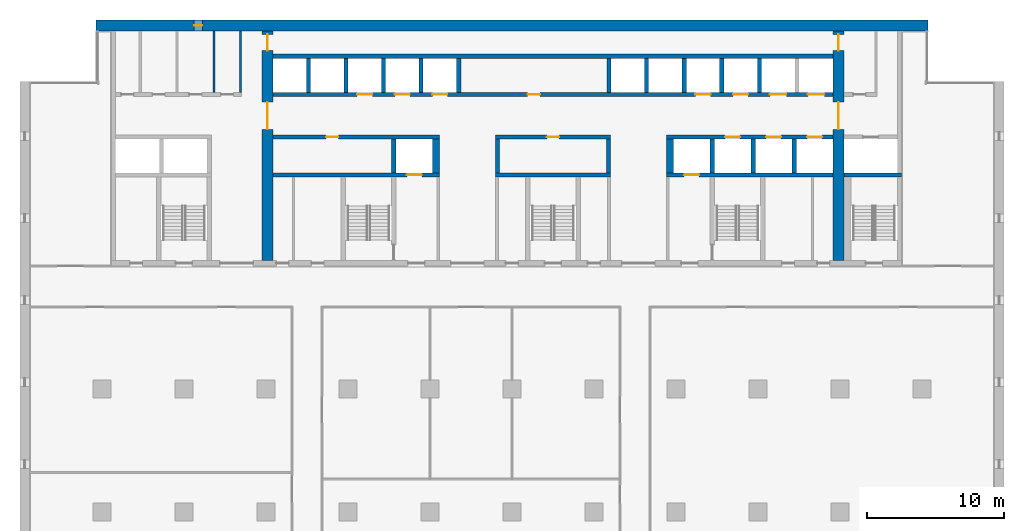
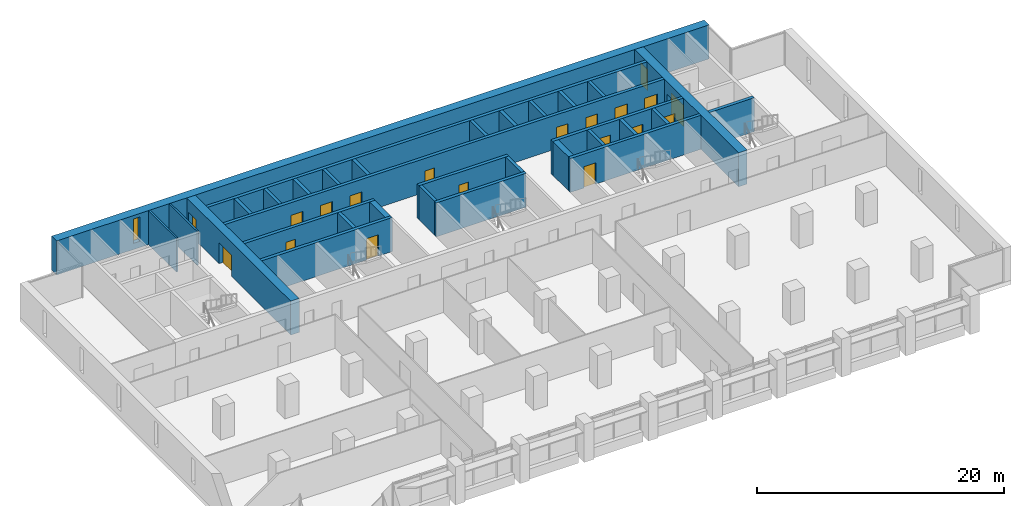
# One storey, part 10 of 15: 32 walls, 19 doors, 1 window, 20 openings.
"""IFC4 building model written with IfcOpenShell, lengths in metres."""

from ifc_helpers import new_model, si_unit, direction, frame, frame_2d, origin, place, context, subcontext, project, spatial, rectangle, extrude, material, layer, layer_set, type_object, element, fill, save


model = new_model("IFC4")

# Units and contexts
model_context = context("Model", 3, precision=1e-05, world=origin(), true_north=direction((0.0, 1.0)))
body_context = subcontext(model_context, "Body", "Model", "MODEL_VIEW")
ifc_project = project(units=[si_unit("LENGTHUNIT", "METRE"), si_unit("AREAUNIT", "SQUARE_METRE"), si_unit("VOLUMEUNIT", "CUBIC_METRE"), si_unit("PLANEANGLEUNIT", "RADIAN"), si_unit("MASSUNIT", "GRAM", prefix="KILO")], contexts=[model_context])

# Site, building, storey
site_placement = place(None, origin())
site = spatial("IfcSite", under=ifc_project, at=site_placement, CompositionType="ELEMENT")
building_placement = place(site_placement, origin())
building = spatial("IfcBuilding", under=site, at=building_placement, Name="Calvaro Tower", CompositionType="ELEMENT")
storey_placement = place(building_placement, frame((0.0, 0.0, 125.0)))
storey = spatial("IfcBuildingStorey", under=building, at=storey_placement, Name="L31", CompositionType="ELEMENT", Elevation=125.0)

# Walls
ifc_material_1 = material(Name="Blockwork partition", Category="masonry")
ifc_layer_1 = layer(ifc_material_1, 0.14990234375)
ifc_layer_set_1 = layer_set([ifc_layer_1], Name="Blockwork partition")
wall_type_1 = type_object("IfcWallType", Name="Core partition 150 EI 60", PredefinedType="PARTITIONING", material=ifc_layer_set_1)
wall_1_placement = place(storey_placement, frame((14.199951171875, 40.699951171875, 0.0), z_axis=(0.0, 0.0, 1.0), x_axis=(0.0, 1.0, 0.0)))
element("IfcWall", 1, at=wall_1_placement, inside=storey, type_object=wall_type_1, Name="Core partition", PredefinedType="PARTITIONING", context=body_context, shape_type="SweptSolid", body=[
    extrude(rectangle(XDim=4.5, YDim=0.14990234375, at=frame_2d((2.25, 0.0))), origin(), (0.0, 0.0, 1.0), 3.35009765625),
])
ifc_material_2 = material(Name="Blockwork partition", Category="masonry")
ifc_layer_2 = layer(ifc_material_2, 0.14990234375)
ifc_layer_set_2 = layer_set([ifc_layer_2], Name="Blockwork partition")
wall_type_2 = type_object("IfcWallType", Name="Core partition 150 REI 120", PredefinedType="PARTITIONING", material=ifc_layer_set_2)
wall_2_placement = place(storey_placement, frame((16.125, 40.699951171875, 0.0), z_axis=(0.0, 0.0, 1.0), x_axis=(0.0, 1.0, 0.0)))
element("IfcWall", 2, at=wall_2_placement, inside=storey, type_object=wall_type_2, Name="Core partition", PredefinedType="PARTITIONING", context=body_context, shape_type="SweptSolid", body=[
    extrude(rectangle(XDim=4.5, YDim=0.14990234375, at=frame_2d((2.25, 0.0))), origin(), (0.0, 0.0, 1.0), 3.35009765625),
])

# Wall, opening, door
ifc_material_3 = material(Name="Concrete C60/75", Category="concrete")
ifc_layer_3 = layer(ifc_material_3, 0.300048828125)
ifc_layer_set_3 = layer_set([ifc_layer_3], Name="Concrete C60/75")
wall_type_3 = type_object("IfcWallType", Name="Core wall C60/75 300", PredefinedType="SHEAR", material=ifc_layer_set_3)
wall_3_placement = place(storey_placement, frame((18.5, 34.64990234375, 0.0), z_axis=(0.0, 0.0, 1.0), x_axis=(1.0, 0.0, 0.0)))
wall_3 = element("IfcWall", 3, at=wall_3_placement, inside=storey, type_object=wall_type_3, Name="Core wall, lift shaft", PredefinedType="SHEAR", context=body_context, shape_type="SweptSolid", body=[
    extrude(rectangle(XDim=12.199951171875, YDim=0.300048828125, at=frame_2d((6.10009765625, 0.0))), origin(), (0.0, 0.0, 1.0), 3.35009765625),
])
opening_1_placement = place(wall_3_placement, frame((9.800048828125, 0.0, 0.0)))
opening_1 = element("IfcOpeningElement", 4, at=opening_1_placement, cuts=wall_3, Name="Opening FF1", PredefinedType="OPENING", context=body_context, shape_type="SweptSolid", body=[
    extrude(rectangle(XDim=1.10009765625, YDim=2.10009765625, at=frame_2d((0.550048828125, 1.050048828125))), frame((0.0, 0.159912109375, 0.0), z_axis=(0.0, -1.0, 0.0), x_axis=(1.0, 0.0, 0.0)), (0.0, 0.0, 1.0), 0.320068359375),
])
ifc_material_4 = material(Name="Stainless steel", Category="steel")
door_type_1 = type_object("IfcDoorType", Name="Landing door 1100 E 60", OperationType="SLIDING_TO_LEFT", PredefinedType="DOOR", material=ifc_material_4)
door_1_placement = place(opening_1_placement, origin())
door_1 = element("IfcDoor", 5, at=door_1_placement, inside=storey, type_object=door_type_1, Name="Landing door FF1", OperationType="SLIDING_TO_LEFT", OverallHeight=2.10009765625, OverallWidth=1.10009765625, PredefinedType="DOOR", context=body_context, shape_type="SweptSolid", body=[
    extrude(rectangle(XDim=1.10009765625, YDim=2.10009765625, at=frame_2d((0.550048828125, 1.050048828125))), frame((0.0, 0.02490234375, 0.0), z_axis=(0.0, -1.0, 0.0), x_axis=(1.0, 0.0, 0.0)), (0.0, 0.0, 1.0), 0.050048828125),
])
fill(opening_1, door_1)

# Wall
wall_4_placement = place(storey_placement, frame((34.800048828125, 34.64990234375, 0.0), z_axis=(0.0, 0.0, 1.0), x_axis=(1.0, 0.0, 0.0)))
element("IfcWall", 6, at=wall_4_placement, inside=storey, type_object=wall_type_3, Name="Core wall, lift shaft", PredefinedType="SHEAR", context=body_context, shape_type="SweptSolid", body=[
    extrude(rectangle(XDim=8.39990234375, YDim=0.300048828125, at=frame_2d((4.199951171875, 0.0))), origin(), (0.0, 0.0, 1.0), 3.35009765625),
])

# Wall, opening, door
wall_5_placement = place(storey_placement, frame((47.300048828125, 34.64990234375, 0.0), z_axis=(0.0, 0.0, 1.0), x_axis=(1.0, 0.0, 0.0)))
wall_5 = element("IfcWall", 7, at=wall_5_placement, inside=storey, type_object=wall_type_3, Name="Core wall, lift shaft", PredefinedType="SHEAR", context=body_context, shape_type="SweptSolid", body=[
    extrude(rectangle(XDim=12.199951171875, YDim=0.300048828125, at=frame_2d((6.10009765625, 0.0))), origin(), (0.0, 0.0, 1.0), 3.35009765625),
])
opening_2_placement = place(wall_5_placement, frame((1.300048828125, 0.0, 0.0)))
opening_2 = element("IfcOpeningElement", 8, at=opening_2_placement, cuts=wall_5, Name="Opening FF2", PredefinedType="OPENING", context=body_context, shape_type="SweptSolid", body=[
    extrude(rectangle(XDim=1.10009765625, YDim=2.10009765625, at=frame_2d((0.550048828125, 1.050048828125))), frame((0.0, 0.159912109375, 0.0), z_axis=(0.0, -1.0, 0.0), x_axis=(1.0, 0.0, 0.0)), (0.0, 0.0, 1.0), 0.320068359375),
])
door_2_placement = place(opening_2_placement, origin())
door_2 = element("IfcDoor", 9, at=door_2_placement, inside=storey, type_object=door_type_1, Name="Landing door FF2", OperationType="SLIDING_TO_LEFT", OverallHeight=2.10009765625, OverallWidth=1.10009765625, PredefinedType="DOOR", context=body_context, shape_type="SweptSolid", body=[
    extrude(rectangle(XDim=1.10009765625, YDim=2.10009765625, at=frame_2d((0.550048828125, 1.050048828125))), frame((0.0, 0.02490234375, 0.0), z_axis=(0.0, -1.0, 0.0), x_axis=(1.0, 0.0, 0.0)), (0.0, 0.0, 1.0), 0.050048828125),
])
fill(opening_2, door_2)

# Wall
wall_6_placement = place(storey_placement, frame((60.300048828125, 34.64990234375, 0.0), z_axis=(0.0, 0.0, 1.0), x_axis=(1.0, 0.0, 0.0)))
element("IfcWall", 10, at=wall_6_placement, inside=storey, type_object=wall_type_3, Name="Core wall, lift shaft", PredefinedType="SHEAR", context=body_context, shape_type="SweptSolid", body=[
    extrude(rectangle(XDim=4.199951171875, YDim=0.300048828125, at=frame_2d((2.10009765625, 0.0))), origin(), (0.0, 0.0, 1.0), 3.35009765625),
])

# Wall, opening, door
wall_7_placement = place(storey_placement, frame((30.699951171875, 37.449951171875, 0.0), z_axis=(0.0, 0.0, 1.0), x_axis=(-1.0, 0.0, 0.0)))
wall_7 = element("IfcWall", 11, at=wall_7_placement, inside=storey, type_object=wall_type_3, Name="Core wall, bay", PredefinedType="SHEAR", context=body_context, shape_type="SweptSolid", body=[
    extrude(rectangle(XDim=12.199951171875, YDim=0.300048828125, at=frame_2d((6.10009765625, 0.0))), origin(), (0.0, 0.0, 1.0), 3.35009765625),
])
opening_3_placement = place(wall_7_placement, frame((7.39990234375, 0.0, 0.0)))
opening_3 = element("IfcOpeningElement", 12, at=opening_3_placement, cuts=wall_7, Name="Opening RD9E", PredefinedType="OPENING", context=body_context, shape_type="SweptSolid", body=[
    extrude(rectangle(XDim=0.89990234375, YDim=2.10009765625, at=frame_2d((0.449951171875, 1.050048828125))), frame((0.0, 0.159912109375, 0.0), z_axis=(0.0, -1.0, 0.0), x_axis=(1.0, 0.0, 0.0)), (0.0, 0.0, 1.0), 0.320068359375),
])
ifc_material_5 = material(Name="Steel door set", Category="steel")
door_type_2 = type_object("IfcDoorType", Name="Room door 900 FD60", OperationType="SINGLE_SWING_LEFT", PredefinedType="DOOR", material=ifc_material_5)
door_3_placement = place(opening_3_placement, origin())
door_3 = element("IfcDoor", 13, at=door_3_placement, inside=storey, type_object=door_type_2, Name="Room door", OperationType="SINGLE_SWING_LEFT", OverallHeight=2.10009765625, OverallWidth=0.89990234375, PredefinedType="DOOR", context=body_context, shape_type="SweptSolid", body=[
    extrude(rectangle(XDim=0.89990234375, YDim=2.10009765625, at=frame_2d((0.449951171875, 1.050048828125))), frame((0.0, 0.02490234375, 0.0), z_axis=(0.0, -1.0, 0.0), x_axis=(1.0, 0.0, 0.0)), (0.0, 0.0, 1.0), 0.050048828125),
])
fill(opening_3, door_3)

wall_8_placement = place(storey_placement, frame((43.199951171875, 37.449951171875, 0.0), z_axis=(0.0, 0.0, 1.0), x_axis=(-1.0, 0.0, 0.0)))
wall_8 = element("IfcWall", 14, at=wall_8_placement, inside=storey, type_object=wall_type_3, Name="Core wall, bay", PredefinedType="SHEAR", context=body_context, shape_type="SweptSolid", body=[
    extrude(rectangle(XDim=8.39990234375, YDim=0.300048828125, at=frame_2d((4.199951171875, 0.0))), origin(), (0.0, 0.0, 1.0), 3.35009765625),
])
opening_4_placement = place(wall_8_placement, frame((3.75, 0.0, 0.0)))
opening_4 = element("IfcOpeningElement", 15, at=opening_4_placement, cuts=wall_8, Name="Opening RD9E", PredefinedType="OPENING", context=body_context, shape_type="SweptSolid", body=[
    extrude(rectangle(XDim=0.89990234375, YDim=2.10009765625, at=frame_2d((0.449951171875, 1.050048828125))), frame((0.0, 0.159912109375, 0.0), z_axis=(0.0, -1.0, 0.0), x_axis=(1.0, 0.0, 0.0)), (0.0, 0.0, 1.0), 0.320068359375),
])
door_4_placement = place(opening_4_placement, origin())
door_4 = element("IfcDoor", 16, at=door_4_placement, inside=storey, type_object=door_type_2, Name="Room door", OperationType="SINGLE_SWING_RIGHT", OverallHeight=2.10009765625, OverallWidth=0.89990234375, PredefinedType="DOOR", context=body_context, shape_type="SweptSolid", body=[
    extrude(rectangle(XDim=0.89990234375, YDim=2.10009765625, at=frame_2d((0.449951171875, 1.050048828125))), frame((0.0, 0.02490234375, 0.0), z_axis=(0.0, -1.0, 0.0), x_axis=(1.0, 0.0, 0.0)), (0.0, 0.0, 1.0), 0.050048828125),
])
fill(opening_4, door_4)

# Wall, openings, doors
wall_9_placement = place(storey_placement, frame((47.300048828125, 37.449951171875, 0.0), z_axis=(0.0, 0.0, 1.0), x_axis=(1.0, 0.0, 0.0)))
wall_9 = element("IfcWall", 17, at=wall_9_placement, inside=storey, type_object=wall_type_3, Name="Core wall, lift shaft", PredefinedType="SHEAR", context=body_context, shape_type="SweptSolid", body=[
    extrude(rectangle(XDim=12.199951171875, YDim=0.300048828125, at=frame_2d((6.10009765625, 0.0))), origin(), (0.0, 0.0, 1.0), 3.35009765625),
])
opening_5_placement = place(wall_9_placement, frame((4.300048828125, 0.0, 0.0)))
opening_5 = element("IfcOpeningElement", 18, at=opening_5_placement, cuts=wall_9, Name="Opening MR1", PredefinedType="OPENING", context=body_context, shape_type="SweptSolid", body=[
    extrude(rectangle(XDim=1.10009765625, YDim=2.10009765625, at=frame_2d((0.550048828125, 1.050048828125))), frame((0.0, 0.159912109375, 0.0), z_axis=(0.0, -1.0, 0.0), x_axis=(1.0, 0.0, 0.0)), (0.0, 0.0, 1.0), 0.320068359375),
])
opening_6_placement = place(wall_9_placement, frame((7.300048828125, 0.0, 0.0)))
opening_6 = element("IfcOpeningElement", 19, at=opening_6_placement, cuts=wall_9, Name="Opening MR2", PredefinedType="OPENING", context=body_context, shape_type="SweptSolid", body=[
    extrude(rectangle(XDim=1.10009765625, YDim=2.10009765625, at=frame_2d((0.550048828125, 1.050048828125))), frame((0.0, 0.159912109375, 0.0), z_axis=(0.0, -1.0, 0.0), x_axis=(1.0, 0.0, 0.0)), (0.0, 0.0, 1.0), 0.320068359375),
])
opening_7_placement = place(wall_9_placement, frame((10.300048828125, 0.0, 0.0)))
opening_7 = element("IfcOpeningElement", 20, at=opening_7_placement, cuts=wall_9, Name="Opening MR3", PredefinedType="OPENING", context=body_context, shape_type="SweptSolid", body=[
    extrude(rectangle(XDim=1.10009765625, YDim=2.10009765625, at=frame_2d((0.550048828125, 1.050048828125))), frame((0.0, 0.159912109375, 0.0), z_axis=(0.0, -1.0, 0.0), x_axis=(1.0, 0.0, 0.0)), (0.0, 0.0, 1.0), 0.320068359375),
])
door_5_placement = place(opening_5_placement, origin())
door_5 = element("IfcDoor", 21, at=door_5_placement, inside=storey, type_object=door_type_1, Name="Landing door MR1", OperationType="SLIDING_TO_LEFT", OverallHeight=2.10009765625, OverallWidth=1.10009765625, PredefinedType="DOOR", context=body_context, shape_type="SweptSolid", body=[
    extrude(rectangle(XDim=1.10009765625, YDim=2.10009765625, at=frame_2d((0.550048828125, 1.050048828125))), frame((0.0, 0.02490234375, 0.0), z_axis=(0.0, -1.0, 0.0), x_axis=(1.0, 0.0, 0.0)), (0.0, 0.0, 1.0), 0.050048828125),
])
fill(opening_5, door_5)
door_6_placement = place(opening_6_placement, origin())
door_6 = element("IfcDoor", 22, at=door_6_placement, inside=storey, type_object=door_type_1, Name="Landing door MR2", OperationType="SLIDING_TO_LEFT", OverallHeight=2.10009765625, OverallWidth=1.10009765625, PredefinedType="DOOR", context=body_context, shape_type="SweptSolid", body=[
    extrude(rectangle(XDim=1.10009765625, YDim=2.10009765625, at=frame_2d((0.550048828125, 1.050048828125))), frame((0.0, 0.02490234375, 0.0), z_axis=(0.0, -1.0, 0.0), x_axis=(1.0, 0.0, 0.0)), (0.0, 0.0, 1.0), 0.050048828125),
])
fill(opening_6, door_6)
door_7_placement = place(opening_7_placement, origin())
door_7 = element("IfcDoor", 23, at=door_7_placement, inside=storey, type_object=door_type_1, Name="Landing door MR3", OperationType="SLIDING_TO_LEFT", OverallHeight=2.10009765625, OverallWidth=1.10009765625, PredefinedType="DOOR", context=body_context, shape_type="SweptSolid", body=[
    extrude(rectangle(XDim=1.10009765625, YDim=2.10009765625, at=frame_2d((0.550048828125, 1.050048828125))), frame((0.0, 0.02490234375, 0.0), z_axis=(0.0, -1.0, 0.0), x_axis=(1.0, 0.0, 0.0)), (0.0, 0.0, 1.0), 0.050048828125),
])
fill(opening_7, door_7)

# Walls
for number, where, z_axis, x_axis, name in (
    (24, (27.35009765625, 34.800048828125, 0.0), (0.0, 0.0, 1.0), (0.0, 1.0, 0.0), "Core wall, lift shaft"),
    (25, (34.949951171875, 34.800048828125, 0.0), (0.0, 0.0, 1.0), (0.0, 1.0, 0.0), "Core wall, lift shaft"),
    (26, (43.050048828125, 34.800048828125, 0.0), (0.0, 0.0, 1.0), (0.0, 1.0, 0.0), "Core wall, lift shaft"),
    (27, (50.64990234375, 34.800048828125, 0.0), (0.0, 0.0, 1.0), (0.0, 1.0, 0.0), "Core wall, lift shaft"),
):
    element("IfcWall", number, at=place(storey_placement, frame(where, z_axis=z_axis, x_axis=x_axis)), inside=storey, type_object=wall_type_3, Name=name, PredefinedType="SHEAR", context=body_context, shape_type="SweptSolid", body=[
        extrude(rectangle(XDim=2.5, YDim=0.300048828125, at=frame_2d((1.25, 0.0))), origin(), (0.0, 0.0, 1.0), 3.35009765625),
    ])

# Wall, openings, doors
wall_10_placement = place(storey_placement, frame((18.5, 40.550048828125, 0.0), z_axis=(0.0, 0.0, 1.0), x_axis=(1.0, 0.0, 0.0)))
wall_10 = element("IfcWall", 28, at=wall_10_placement, inside=storey, type_object=wall_type_3, Name="Core wall, bay", PredefinedType="SHEAR", context=body_context, shape_type="SweptSolid", body=[
    extrude(rectangle(XDim=41.0, YDim=0.300048828125, at=frame_2d((20.5, 0.0))), origin(), (0.0, 0.0, 1.0), 3.35009765625),
])
opening_8_placement = place(wall_10_placement, frame((18.64990234375, 0.0, 0.0)))
opening_8 = element("IfcOpeningElement", 29, at=opening_8_placement, cuts=wall_10, Name="Opening RD9E", PredefinedType="OPENING", context=body_context, shape_type="SweptSolid", body=[
    extrude(rectangle(XDim=0.89990234375, YDim=2.10009765625, at=frame_2d((0.449951171875, 1.050048828125))), frame((0.0, 0.159912109375, 0.0), z_axis=(0.0, -1.0, 0.0), x_axis=(1.0, 0.0, 0.0)), (0.0, 0.0, 1.0), 0.320068359375),
])
opening_9_placement = place(wall_10_placement, frame((6.175048828125, 0.0, 0.0)))
opening_9 = element("IfcOpeningElement", 30, at=opening_9_placement, cuts=wall_10, Name="Opening MR4", PredefinedType="OPENING", context=body_context, shape_type="SweptSolid", body=[
    extrude(rectangle(XDim=1.10009765625, YDim=2.10009765625, at=frame_2d((0.550048828125, 1.050048828125))), frame((0.0, 0.159912109375, 0.0), z_axis=(0.0, -1.0, 0.0), x_axis=(1.0, 0.0, 0.0)), (0.0, 0.0, 1.0), 0.320068359375),
])
opening_10_placement = place(wall_10_placement, frame((8.925048828125, 0.0, 0.0)))
opening_10 = element("IfcOpeningElement", 31, at=opening_10_placement, cuts=wall_10, Name="Opening MR5", PredefinedType="OPENING", context=body_context, shape_type="SweptSolid", body=[
    extrude(rectangle(XDim=1.10009765625, YDim=2.10009765625, at=frame_2d((0.550048828125, 1.050048828125))), frame((0.0, 0.159912109375, 0.0), z_axis=(0.0, -1.0, 0.0), x_axis=(1.0, 0.0, 0.0)), (0.0, 0.0, 1.0), 0.320068359375),
])
opening_11_placement = place(wall_10_placement, frame((11.675048828125, 0.0, 0.0)))
opening_11 = element("IfcOpeningElement", 32, at=opening_11_placement, cuts=wall_10, Name="Opening MR6", PredefinedType="OPENING", context=body_context, shape_type="SweptSolid", body=[
    extrude(rectangle(XDim=1.10009765625, YDim=2.10009765625, at=frame_2d((0.550048828125, 1.050048828125))), frame((0.0, 0.159912109375, 0.0), z_axis=(0.0, -1.0, 0.0), x_axis=(1.0, 0.0, 0.0)), (0.0, 0.0, 1.0), 0.320068359375),
])
opening_12_placement = place(wall_10_placement, frame((30.925048828125, 0.0, 0.0)))
opening_12 = element("IfcOpeningElement", 33, at=opening_12_placement, cuts=wall_10, Name="Opening MR7", PredefinedType="OPENING", context=body_context, shape_type="SweptSolid", body=[
    extrude(rectangle(XDim=1.10009765625, YDim=2.10009765625, at=frame_2d((0.550048828125, 1.050048828125))), frame((0.0, 0.159912109375, 0.0), z_axis=(0.0, -1.0, 0.0), x_axis=(1.0, 0.0, 0.0)), (0.0, 0.0, 1.0), 0.320068359375),
])
opening_13_placement = place(wall_10_placement, frame((33.675048828125, 0.0, 0.0)))
opening_13 = element("IfcOpeningElement", 34, at=opening_13_placement, cuts=wall_10, Name="Opening MR8", PredefinedType="OPENING", context=body_context, shape_type="SweptSolid", body=[
    extrude(rectangle(XDim=1.10009765625, YDim=2.10009765625, at=frame_2d((0.550048828125, 1.050048828125))), frame((0.0, 0.159912109375, 0.0), z_axis=(0.0, -1.0, 0.0), x_axis=(1.0, 0.0, 0.0)), (0.0, 0.0, 1.0), 0.320068359375),
])
opening_14_placement = place(wall_10_placement, frame((36.375, 0.0, 0.0)))
opening_14 = element("IfcOpeningElement", 35, at=opening_14_placement, cuts=wall_10, Name="Opening SV1", PredefinedType="OPENING", context=body_context, shape_type="SweptSolid", body=[
    extrude(rectangle(XDim=1.199951171875, YDim=2.10009765625, at=frame_2d((0.60009765625, 1.050048828125))), frame((0.0, 0.159912109375, 0.0), z_axis=(0.0, -1.0, 0.0), x_axis=(1.0, 0.0, 0.0)), (0.0, 0.0, 1.0), 0.320068359375),
])
opening_15_placement = place(wall_10_placement, frame((39.14990234375, 0.0, 0.0)))
opening_15 = element("IfcOpeningElement", 36, at=opening_15_placement, cuts=wall_10, Name="Opening SV2", PredefinedType="OPENING", context=body_context, shape_type="SweptSolid", body=[
    extrude(rectangle(XDim=1.199951171875, YDim=2.10009765625, at=frame_2d((0.60009765625, 1.050048828125))), frame((0.0, 0.159912109375, 0.0), z_axis=(0.0, -1.0, 0.0), x_axis=(1.0, 0.0, 0.0)), (0.0, 0.0, 1.0), 0.320068359375),
])
door_8_placement = place(opening_9_placement, origin())
door_8 = element("IfcDoor", 37, at=door_8_placement, inside=storey, type_object=door_type_1, Name="Landing door MR4", OperationType="SLIDING_TO_LEFT", OverallHeight=2.10009765625, OverallWidth=1.10009765625, PredefinedType="DOOR", context=body_context, shape_type="SweptSolid", body=[
    extrude(rectangle(XDim=1.10009765625, YDim=2.10009765625, at=frame_2d((0.550048828125, 1.050048828125))), frame((0.0, 0.02490234375, 0.0), z_axis=(0.0, -1.0, 0.0), x_axis=(1.0, 0.0, 0.0)), (0.0, 0.0, 1.0), 0.050048828125),
])
fill(opening_9, door_8)
door_9_placement = place(opening_10_placement, origin())
door_9 = element("IfcDoor", 38, at=door_9_placement, inside=storey, type_object=door_type_1, Name="Landing door MR5", OperationType="SLIDING_TO_LEFT", OverallHeight=2.10009765625, OverallWidth=1.10009765625, PredefinedType="DOOR", context=body_context, shape_type="SweptSolid", body=[
    extrude(rectangle(XDim=1.10009765625, YDim=2.10009765625, at=frame_2d((0.550048828125, 1.050048828125))), frame((0.0, 0.02490234375, 0.0), z_axis=(0.0, -1.0, 0.0), x_axis=(1.0, 0.0, 0.0)), (0.0, 0.0, 1.0), 0.050048828125),
])
fill(opening_10, door_9)
door_10_placement = place(opening_11_placement, origin())
door_10 = element("IfcDoor", 39, at=door_10_placement, inside=storey, type_object=door_type_1, Name="Landing door MR6", OperationType="SLIDING_TO_LEFT", OverallHeight=2.10009765625, OverallWidth=1.10009765625, PredefinedType="DOOR", context=body_context, shape_type="SweptSolid", body=[
    extrude(rectangle(XDim=1.10009765625, YDim=2.10009765625, at=frame_2d((0.550048828125, 1.050048828125))), frame((0.0, 0.02490234375, 0.0), z_axis=(0.0, -1.0, 0.0), x_axis=(1.0, 0.0, 0.0)), (0.0, 0.0, 1.0), 0.050048828125),
])
fill(opening_11, door_10)
door_11_placement = place(opening_12_placement, origin())
door_11 = element("IfcDoor", 40, at=door_11_placement, inside=storey, type_object=door_type_1, Name="Landing door MR7", OperationType="SLIDING_TO_LEFT", OverallHeight=2.10009765625, OverallWidth=1.10009765625, PredefinedType="DOOR", context=body_context, shape_type="SweptSolid", body=[
    extrude(rectangle(XDim=1.10009765625, YDim=2.10009765625, at=frame_2d((0.550048828125, 1.050048828125))), frame((0.0, 0.02490234375, 0.0), z_axis=(0.0, -1.0, 0.0), x_axis=(1.0, 0.0, 0.0)), (0.0, 0.0, 1.0), 0.050048828125),
])
fill(opening_12, door_11)
door_12_placement = place(opening_13_placement, origin())
door_12 = element("IfcDoor", 41, at=door_12_placement, inside=storey, type_object=door_type_1, Name="Landing door MR8", OperationType="SLIDING_TO_LEFT", OverallHeight=2.10009765625, OverallWidth=1.10009765625, PredefinedType="DOOR", context=body_context, shape_type="SweptSolid", body=[
    extrude(rectangle(XDim=1.10009765625, YDim=2.10009765625, at=frame_2d((0.550048828125, 1.050048828125))), frame((0.0, 0.02490234375, 0.0), z_axis=(0.0, -1.0, 0.0), x_axis=(1.0, 0.0, 0.0)), (0.0, 0.0, 1.0), 0.050048828125),
])
fill(opening_13, door_12)
ifc_material_6 = material(Name="Stainless steel", Category="steel")
door_type_3 = type_object("IfcDoorType", Name="Landing door 1200 E 60", OperationType="SLIDING_TO_LEFT", PredefinedType="DOOR", material=ifc_material_6)
door_13_placement = place(opening_14_placement, origin())
door_13 = element("IfcDoor", 42, at=door_13_placement, inside=storey, type_object=door_type_3, Name="Landing door SV1", OperationType="SLIDING_TO_LEFT", OverallHeight=2.10009765625, OverallWidth=1.199951171875, PredefinedType="DOOR", context=body_context, shape_type="SweptSolid", body=[
    extrude(rectangle(XDim=1.199951171875, YDim=2.10009765625, at=frame_2d((0.60009765625, 1.050048828125))), frame((0.0, 0.02490234375, 0.0), z_axis=(0.0, -1.0, 0.0), x_axis=(1.0, 0.0, 0.0)), (0.0, 0.0, 1.0), 0.050048828125),
])
fill(opening_14, door_13)
door_14_placement = place(opening_15_placement, origin())
door_14 = element("IfcDoor", 43, at=door_14_placement, inside=storey, type_object=door_type_3, Name="Landing door SV2", OperationType="SLIDING_TO_LEFT", OverallHeight=2.10009765625, OverallWidth=1.199951171875, PredefinedType="DOOR", context=body_context, shape_type="SweptSolid", body=[
    extrude(rectangle(XDim=1.199951171875, YDim=2.10009765625, at=frame_2d((0.60009765625, 1.050048828125))), frame((0.0, 0.02490234375, 0.0), z_axis=(0.0, -1.0, 0.0), x_axis=(1.0, 0.0, 0.0)), (0.0, 0.0, 1.0), 0.050048828125),
])
fill(opening_15, door_14)
door_15_placement = place(opening_8_placement, origin())
door_15 = element("IfcDoor", 44, at=door_15_placement, inside=storey, type_object=door_type_2, Name="Room door", OperationType="SINGLE_SWING_LEFT", OverallHeight=2.10009765625, OverallWidth=0.89990234375, PredefinedType="DOOR", context=body_context, shape_type="SweptSolid", body=[
    extrude(rectangle(XDim=0.89990234375, YDim=2.10009765625, at=frame_2d((0.449951171875, 1.050048828125))), frame((0.0, 0.02490234375, 0.0), z_axis=(0.0, -1.0, 0.0), x_axis=(1.0, 0.0, 0.0)), (0.0, 0.0, 1.0), 0.050048828125),
])
fill(opening_8, door_15)

# Walls
wall_11_placement = place(storey_placement, frame((18.5, 43.35009765625, 0.0), z_axis=(0.0, 0.0, 1.0), x_axis=(1.0, 0.0, 0.0)))
element("IfcWall", 45, at=wall_11_placement, inside=storey, type_object=wall_type_3, Name="Core wall, lift shaft", PredefinedType="SHEAR", context=body_context, shape_type="SweptSolid", body=[
    extrude(rectangle(XDim=41.0, YDim=0.300048828125, at=frame_2d((20.5, 0.0))), origin(), (0.0, 0.0, 1.0), 3.35009765625),
])
for number, where, z_axis, x_axis, name in (
    (46, (53.64990234375, 34.800048828125, 0.0), (0.0, 0.0, 1.0), (0.0, 1.0, 0.0), "Core wall, lift shaft"),
    (47, (56.64990234375, 34.800048828125, 0.0), (0.0, 0.0, 1.0), (0.0, 1.0, 0.0), "Core wall, lift shaft"),
    (48, (21.10009765625, 40.699951171875, 0.0), (0.0, 0.0, 1.0), (0.0, 1.0, 0.0), "Core wall, lift shaft"),
    (49, (23.85009765625, 40.699951171875, 0.0), (0.0, 0.0, 1.0), (0.0, 1.0, 0.0), "Core wall, lift shaft"),
    (50, (26.60009765625, 40.699951171875, 0.0), (0.0, 0.0, 1.0), (0.0, 1.0, 0.0), "Core wall, lift shaft"),
    (51, (29.35009765625, 40.699951171875, 0.0), (0.0, 0.0, 1.0), (0.0, 1.0, 0.0), "Core wall, lift shaft"),
    (52, (32.10009765625, 40.699951171875, 0.0), (0.0, 0.0, 1.0), (0.0, 1.0, 0.0), "Core wall, lift shaft"),
    (53, (43.10009765625, 40.699951171875, 0.0), (0.0, 0.0, 1.0), (0.0, 1.0, 0.0), "Core wall, lift shaft"),
    (54, (45.85009765625, 40.699951171875, 0.0), (0.0, 0.0, 1.0), (0.0, 1.0, 0.0), "Core wall, lift shaft"),
    (55, (48.60009765625, 40.699951171875, 0.0), (0.0, 0.0, 1.0), (0.0, 1.0, 0.0), "Core wall, lift shaft"),
    (56, (51.35009765625, 40.699951171875, 0.0), (0.0, 0.0, 1.0), (0.0, 1.0, 0.0), "Core wall, lift shaft"),
    (57, (54.10009765625, 40.699951171875, 0.0), (0.0, 0.0, 1.0), (0.0, 1.0, 0.0), "Core wall, lift shaft"),
):
    element("IfcWall", number, at=place(storey_placement, frame(where, z_axis=z_axis, x_axis=x_axis)), inside=storey, type_object=wall_type_3, Name=name, PredefinedType="SHEAR", context=body_context, shape_type="SweptSolid", body=[
        extrude(rectangle(XDim=2.5, YDim=0.300048828125, at=frame_2d((1.25, 0.0))), origin(), (0.0, 0.0, 1.0), 3.35009765625),
    ])
ifc_material_7 = material(Name="Concrete C60/75", Category="concrete")
ifc_layer_4 = layer(ifc_material_7, 0.5)
ifc_layer_set_4 = layer_set([ifc_layer_4], Name="Concrete C60/75")
wall_type_4 = type_object("IfcWallType", Name="Core wall C60/75 500", PredefinedType="SHEAR", material=ifc_layer_set_4)
for number, where, z_axis, x_axis, name in (
    (58, (30.449951171875, 34.800048828125, 0.0), (0.0, 0.0, 1.0), (0.0, 1.0, 0.0), "Core wall, lift shaft"),
    (59, (47.550048828125, 34.800048828125, 0.0), (0.0, 0.0, 1.0), (0.0, 1.0, 0.0), "Core wall, lift shaft"),
):
    element("IfcWall", number, at=place(storey_placement, frame(where, z_axis=z_axis, x_axis=x_axis)), inside=storey, type_object=wall_type_4, Name=name, PredefinedType="SHEAR", context=body_context, shape_type="SweptSolid", body=[
        extrude(rectangle(XDim=2.5, YDim=0.5, at=frame_2d((1.25, 0.0))), origin(), (0.0, 0.0, 1.0), 3.35009765625),
    ])

# Wall, openings, doors
ifc_material_8 = material(Name="Concrete C60/75", Category="concrete")
ifc_layer_5 = layer(ifc_material_8, 0.800048828125)
ifc_layer_set_5 = layer_set([ifc_layer_5], Name="Concrete C60/75")
wall_type_5 = type_object("IfcWallType", Name="Core wall C60/75 800", PredefinedType="SHEAR", material=ifc_layer_set_5)
wall_12_placement = place(storey_placement, frame((18.10009765625, 28.39990234375, 0.0), z_axis=(0.0, 0.0, 1.0), x_axis=(0.0, 1.0, 0.0)))
wall_12 = element("IfcWall", 60, at=wall_12_placement, inside=storey, type_object=wall_type_5, Name="Core wall, cross shear wall", PredefinedType="SHEAR", context=body_context, shape_type="SweptSolid", body=[
    extrude(rectangle(XDim=16.800048828125, YDim=0.800048828125, at=frame_2d((8.39990234375, 0.0))), origin(), (0.0, 0.0, 1.0), 3.35009765625),
])
opening_16_placement = place(wall_12_placement, frame((9.60009765625, 0.0, 0.0)))
opening_16 = element("IfcOpeningElement", 61, at=opening_16_placement, cuts=wall_12, Name="Opening DD20D", PredefinedType="OPENING", context=body_context, shape_type="SweptSolid", body=[
    extrude(rectangle(XDim=2.0, YDim=2.10009765625, at=frame_2d((1.0, 1.050048828125))), frame((0.0, 0.409912109375, 0.0), z_axis=(0.0, -1.0, 0.0), x_axis=(1.0, 0.0, 0.0)), (0.0, 0.0, 1.0), 0.820068359375),
])
opening_17_placement = place(wall_12_placement, frame((15.35009765625, 0.0, 0.0)))
opening_17 = element("IfcOpeningElement", 62, at=opening_17_placement, cuts=wall_12, Name="Opening FD12C", PredefinedType="OPENING", context=body_context, shape_type="SweptSolid", body=[
    extrude(rectangle(XDim=1.199951171875, YDim=2.10009765625, at=frame_2d((0.60009765625, 1.050048828125))), frame((0.0, 0.409912109375, 0.0), z_axis=(0.0, -1.0, 0.0), x_axis=(1.0, 0.0, 0.0)), (0.0, 0.0, 1.0), 0.820068359375),
])
ifc_material_9 = material(Name="Steel door set", Category="steel")
door_type_4 = type_object("IfcDoorType", Name="Fire door 1200 FD30", OperationType="SINGLE_SWING_LEFT", PredefinedType="DOOR", material=ifc_material_9)
door_16_placement = place(opening_17_placement, origin())
door_16 = element("IfcDoor", 63, at=door_16_placement, inside=storey, type_object=door_type_4, Name="Fire door", OperationType="SINGLE_SWING_LEFT", OverallHeight=2.10009765625, OverallWidth=1.199951171875, PredefinedType="DOOR", context=body_context, shape_type="SweptSolid", body=[
    extrude(rectangle(XDim=1.199951171875, YDim=2.10009765625, at=frame_2d((0.60009765625, 1.050048828125))), frame((0.0, 0.02490234375, 0.0), z_axis=(0.0, -1.0, 0.0), x_axis=(1.0, 0.0, 0.0)), (0.0, 0.0, 1.0), 0.050048828125),
])
fill(opening_17, door_16)
ifc_material_10 = material(Name="Steel door set", Category="steel")
door_type_5 = type_object("IfcDoorType", Name="Lobby double door 2000 FD30S", OperationType="DOUBLE_DOOR_SINGLE_SWING", PredefinedType="DOOR", material=ifc_material_10)
door_17_placement = place(opening_16_placement, origin())
door_17 = element("IfcDoor", 64, at=door_17_placement, inside=storey, type_object=door_type_5, Name="Lobby double door", OperationType="DOUBLE_DOOR_SINGLE_SWING", OverallHeight=2.10009765625, OverallWidth=2.0, PredefinedType="DOOR", context=body_context, shape_type="SweptSolid", body=[
    extrude(rectangle(XDim=2.0, YDim=2.10009765625, at=frame_2d((1.0, 1.050048828125))), frame((0.0, 0.02490234375, 0.0), z_axis=(0.0, -1.0, 0.0), x_axis=(1.0, 0.0, 0.0)), (0.0, 0.0, 1.0), 0.050048828125),
])
fill(opening_16, door_17)

wall_13_placement = place(storey_placement, frame((59.89990234375, 28.39990234375, 0.0), z_axis=(0.0, 0.0, 1.0), x_axis=(0.0, 1.0, 0.0)))
wall_13 = element("IfcWall", 65, at=wall_13_placement, inside=storey, type_object=wall_type_5, Name="Core wall, cross shear wall", PredefinedType="SHEAR", context=body_context, shape_type="SweptSolid", body=[
    extrude(rectangle(XDim=16.800048828125, YDim=0.800048828125, at=frame_2d((8.39990234375, 0.0))), origin(), (0.0, 0.0, 1.0), 3.35009765625),
])
opening_18_placement = place(wall_13_placement, frame((9.60009765625, 0.0, 0.0)))
opening_18 = element("IfcOpeningElement", 66, at=opening_18_placement, cuts=wall_13, Name="Opening DD20D", PredefinedType="OPENING", context=body_context, shape_type="SweptSolid", body=[
    extrude(rectangle(XDim=2.0, YDim=2.10009765625, at=frame_2d((1.0, 1.050048828125))), frame((0.0, 0.409912109375, 0.0), z_axis=(0.0, -1.0, 0.0), x_axis=(1.0, 0.0, 0.0)), (0.0, 0.0, 1.0), 0.820068359375),
])
opening_19_placement = place(wall_13_placement, frame((15.35009765625, 0.0, 0.0)))
opening_19 = element("IfcOpeningElement", 67, at=opening_19_placement, cuts=wall_13, Name="Opening FD12C", PredefinedType="OPENING", context=body_context, shape_type="SweptSolid", body=[
    extrude(rectangle(XDim=1.199951171875, YDim=2.10009765625, at=frame_2d((0.60009765625, 1.050048828125))), frame((0.0, 0.409912109375, 0.0), z_axis=(0.0, -1.0, 0.0), x_axis=(1.0, 0.0, 0.0)), (0.0, 0.0, 1.0), 0.820068359375),
])
door_18_placement = place(opening_19_placement, origin())
door_18 = element("IfcDoor", 68, at=door_18_placement, inside=storey, type_object=door_type_4, Name="Fire door", OperationType="SINGLE_SWING_LEFT", OverallHeight=2.10009765625, OverallWidth=1.199951171875, PredefinedType="DOOR", context=body_context, shape_type="SweptSolid", body=[
    extrude(rectangle(XDim=1.199951171875, YDim=2.10009765625, at=frame_2d((0.60009765625, 1.050048828125))), frame((0.0, 0.02490234375, 0.0), z_axis=(0.0, -1.0, 0.0), x_axis=(1.0, 0.0, 0.0)), (0.0, 0.0, 1.0), 0.050048828125),
])
fill(opening_19, door_18)
door_19_placement = place(opening_18_placement, origin())
door_19 = element("IfcDoor", 69, at=door_19_placement, inside=storey, type_object=door_type_5, Name="Lobby double door", OperationType="DOUBLE_DOOR_SINGLE_SWING", OverallHeight=2.10009765625, OverallWidth=2.0, PredefinedType="DOOR", context=body_context, shape_type="SweptSolid", body=[
    extrude(rectangle(XDim=2.0, YDim=2.10009765625, at=frame_2d((1.0, 1.050048828125))), frame((0.0, 0.02490234375, 0.0), z_axis=(0.0, -1.0, 0.0), x_axis=(1.0, 0.0, 0.0)), (0.0, 0.0, 1.0), 0.050048828125),
])
fill(opening_18, door_19)

# Wall, opening, window
ifc_material_11 = material(Name="Concrete C60/75", Category="concrete")
ifc_layer_6 = layer(ifc_material_11, 0.800048828125)
ifc_layer_set_6 = layer_set([ifc_layer_6], Name="Concrete C60/75")
wall_type_6 = type_object("IfcWallType", Name="Rear core wall 800 C60/75", PredefinedType="SHEAR", material=ifc_layer_set_6)
wall_14_placement = place(storey_placement, frame((5.550048828125, 45.60009765625, 0.0), z_axis=(0.0, 0.0, 1.0), x_axis=(1.0, 0.0, 0.0)))
wall_14 = element("IfcWall", 70, at=wall_14_placement, inside=storey, type_object=wall_type_6, Name="North core wall", PredefinedType="SHEAR", context=body_context, shape_type="SweptSolid", body=[
    extrude(rectangle(XDim=60.89990234375, YDim=0.800048828125, at=frame_2d((30.449951171875, 0.0))), origin(), (0.0, 0.0, 1.0), 3.35009765625),
])
opening_20_placement = place(wall_14_placement, frame((7.199951171875, 0.0, 0.60009765625)))
opening_20 = element("IfcOpeningElement", 71, at=opening_20_placement, cuts=wall_14, Name="Opening WN02", PredefinedType="OPENING", context=body_context, shape_type="SweptSolid", body=[
    extrude(rectangle(XDim=0.60009765625, YDim=2.39990234375, at=frame_2d((0.300048828125, 1.199951171875))), frame((0.0, 0.409912109375, 0.0), z_axis=(0.0, -1.0, 0.0), x_axis=(1.0, 0.0, 0.0)), (0.0, 0.0, 1.0), 0.820068359375),
])
ifc_material_12 = material(Name="Glass", Category="glass")
window_type = type_object("IfcWindowType", Name="Slit window 600 x 2400", PartitioningType="SINGLE_PANEL", PredefinedType="WINDOW", material=ifc_material_12)
window_placement = place(opening_20_placement, origin())
window = element("IfcWindow", 72, at=window_placement, inside=storey, type_object=window_type, Name="Window WN02", OverallHeight=2.39990234375, OverallWidth=0.60009765625, PartitioningType="SINGLE_PANEL", PredefinedType="WINDOW", context=body_context, shape_type="SweptSolid", body=[
    extrude(rectangle(XDim=0.60009765625, YDim=2.39990234375, at=frame_2d((0.300048828125, 1.199951171875))), frame((0.0, 0.030029296875, 0.0), z_axis=(0.0, -1.0, 0.0), x_axis=(1.0, 0.0, 0.0)), (0.0, 0.0, 1.0), 0.06005859375),
])
fill(opening_20, window)

save(model, "model.ifc")
